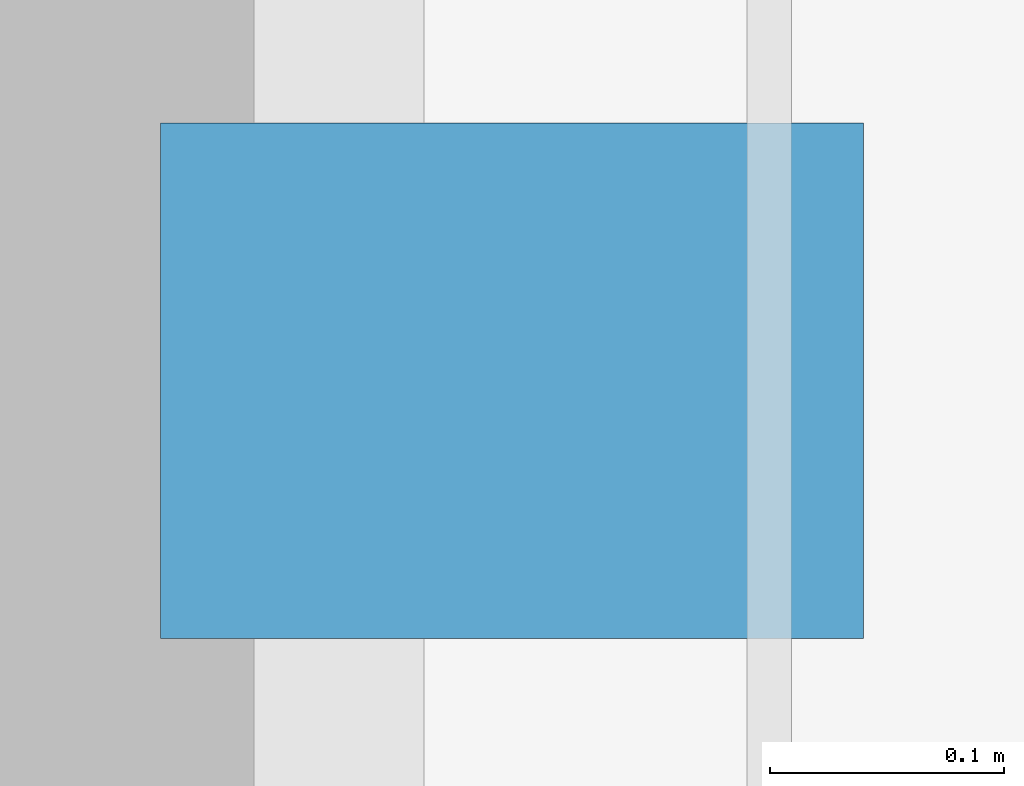
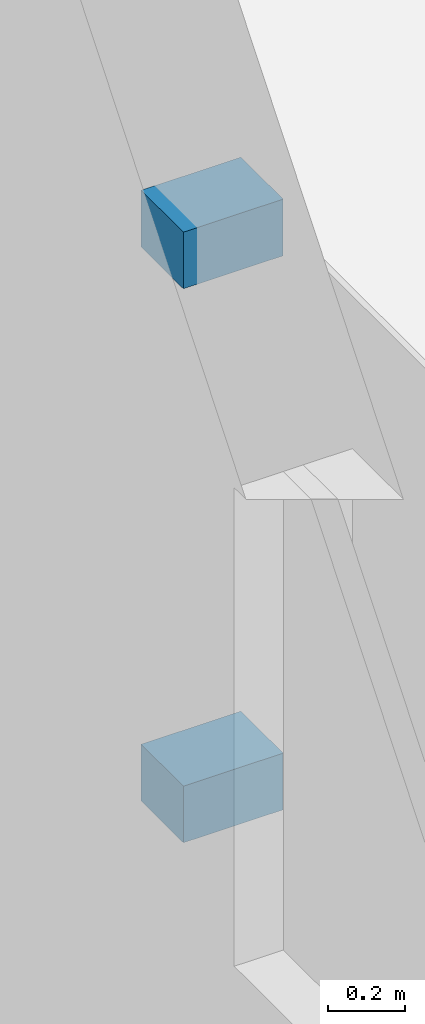
# One storey, part 28 of 34: 2 discrete accessories.
"""IFC4 building model written with IfcOpenShell, lengths in metres."""

from ifc_helpers import new_model, si_unit, direction, frame, origin, origin_2d, place, context, subcontext, project, spatial, rectangle, extrude, material, type_object, element, save


model = new_model("IFC4")

# Units and contexts
model_context = context("Model", 3, precision=1e-05, world=origin(), true_north=direction((0.0, 1.0)))
body_context = subcontext(model_context, "Body", "Model", "MODEL_VIEW")
ifc_project = project(units=[si_unit("LENGTHUNIT", "METRE"), si_unit("AREAUNIT", "SQUARE_METRE"), si_unit("VOLUMEUNIT", "CUBIC_METRE"), si_unit("PLANEANGLEUNIT", "RADIAN"), si_unit("MASSUNIT", "GRAM", prefix="KILO")], contexts=[model_context])

# Site, building, storey
site_placement = place(None, origin())
site = spatial("IfcSite", under=ifc_project, at=site_placement, CompositionType="ELEMENT")
building_placement = place(site_placement, origin())
building = spatial("IfcBuilding", under=site, at=building_placement, Name="Rusizi Kubbe Research Institute", CompositionType="ELEMENT")
storey_placement = place(building_placement, frame((0.0, 0.0, 5.39990234375)))
storey = spatial("IfcBuildingStorey", under=building, at=storey_placement, Name="L01", CompositionType="ELEMENT", Elevation=5.39990234375)

# Discrete accessories
ifc_material = material(Name="Steel S355", Category="steel")
discrete_accessory_type = type_object("IfcDiscreteAccessoryType", Name="BK-01", PredefinedType="BRACKET", material=ifc_material)
for number, where, z_axis, x_axis, name in (
    (1, (99.28759765625, 3.300048828125, 0.740234375), (0.0, 0.0, 1.0), (1.0, 0.0, 0.0), "Solar Screen Bracket 29-1"),
    (2, (99.28759765625, 3.300048828125, 2.5), (0.0, 0.0, 1.0), (1.0, 0.0, 0.0), "Solar Screen Bracket 29-2"),
):
    element("IfcDiscreteAccessory", number, at=place(storey_placement, frame(where, z_axis=z_axis, x_axis=x_axis)), inside=storey, type_object=discrete_accessory_type, Name=name, PredefinedType="BRACKET", context=body_context, shape_type="SweptSolid", body=[
        extrude(rectangle(XDim=0.300048828125, YDim=0.219970703125, at=origin_2d()), origin(), (0.0, 0.0, 1.0), 0.179931640625),
    ])

save(model, "model.ifc")
